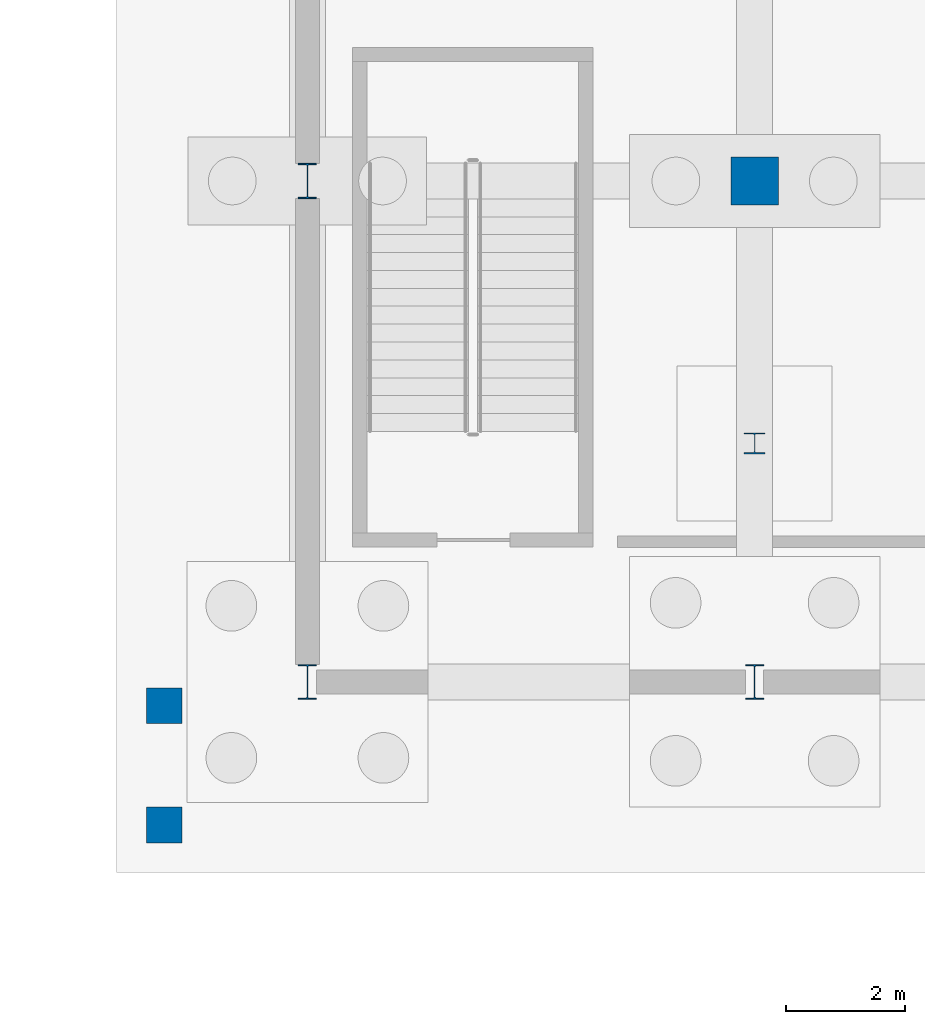
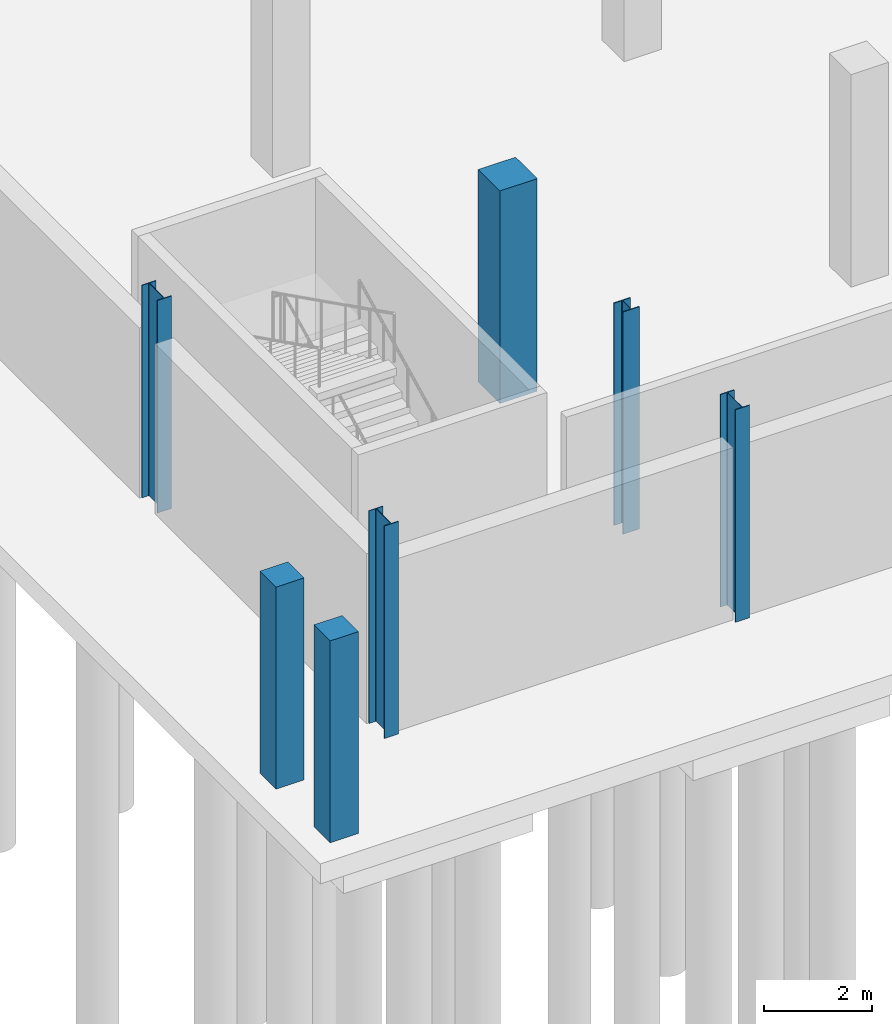
# One storey, part 22 of 44: 7 columns.
"""IFC4 building model written with IfcOpenShell, lengths in metres."""

import ifcopenshell
import ifcopenshell.guid

model = None  # the IFC model being written
_history = None  # IfcOwnerHistory: only IFC2X3 demands one
_inside = {}  # id of a spatial element -> (the spatial element, [elements in it])
_under = {}  # id of a project, library or spatial element -> (it, [spatial elements below it])
_declared = {}  # id of a project -> (the project, [libraries it declares])
_typed = {}  # id of a type object -> (the type object, [elements of that type])
_made_of = {}  # id of a material, layer set ... -> (it, [elements and type objects made of it])


def new_model(schema):
    """Start an empty IFC model of exactly this schema.

    Asked for "IFC4X3", IfcOpenShell would pick the latest addendum, in which some entities
    have other attributes; the version numbers below select the first issue.
    IFC2X3 requires an IfcOwnerHistory on every rooted entity: one is made here for all.
    """
    global model, _history
    if schema == "IFC4X3":
        model = ifcopenshell.file(schema_version=(4, 3, 0, 0))
    else:
        model = ifcopenshell.file(schema=schema)
    _inside.clear()
    _under.clear()
    _declared.clear()
    _typed.clear()
    _made_of.clear()
    _history = None
    if model.schema == "IFC2X3":
        org = make("IfcOrganization", Name="unknown")
        user = make(
            "IfcPersonAndOrganization",
            ThePerson=make("IfcPerson", FamilyName="unknown"),
            TheOrganization=org,
        )
        app = make(
            "IfcApplication",
            ApplicationDeveloper=org,
            Version="unknown",
            ApplicationFullName="unknown",
            ApplicationIdentifier="unknown",
        )
        _history = make(
            "IfcOwnerHistory",
            OwningUser=user,
            OwningApplication=app,
            ChangeAction="ADDED",
            CreationDate=0,
        )
    return model


def make(cls, **values):
    """One entity of the class cls with the attributes given. An attribute that is None is left unset."""
    return model.create_entity(
        cls, **{name: value for name, value in values.items() if value is not None}
    )


def rooted(cls, **values):
    """An entity with a GlobalId (a new one), such as an element, a storey or a relation."""
    return make(cls, GlobalId=ifcopenshell.guid.new(), OwnerHistory=_history, **values)


def si_unit(unit_type, name, prefix=None):
    """IfcSIUnit, for example si_unit("LENGTHUNIT", "METRE", prefix="MILLI")."""
    return make("IfcSIUnit", UnitType=unit_type, Prefix=prefix, Name=name)


def assignment(units):
    """IfcUnitAssignment: the units of a project."""
    return None if units is None else make("IfcUnitAssignment", Units=units)


def point(xyz):
    """IfcCartesianPoint."""
    return None if xyz is None else make("IfcCartesianPoint", Coordinates=xyz)


def direction(xyz):
    """IfcDirection."""
    return None if xyz is None else make("IfcDirection", DirectionRatios=xyz)


def frame(location, z_axis=None, x_axis=None):
    """IfcAxis2Placement3D, a coordinate frame: its origin and axes. An axis left out is left unset."""
    return make(
        "IfcAxis2Placement3D",
        Location=point(location),
        Axis=direction(z_axis),
        RefDirection=direction(x_axis),
    )


def frame_2d(location, x_axis=None):
    """IfcAxis2Placement2D, a coordinate frame in the plane: its origin and x axis."""
    return make(
        "IfcAxis2Placement2D", Location=point(location), RefDirection=direction(x_axis)
    )


def origin():
    """The frame at (0, 0, 0) with its axes left unset."""
    return frame((0.0, 0.0, 0.0))


def origin_2d():
    """The frame at (0, 0) in the plane with its x axis left unset."""
    return frame_2d((0.0, 0.0))


def place(relative_to, where):
    """IfcLocalPlacement: puts the frame where relative to a parent placement (None: the world)."""
    return make(
        "IfcLocalPlacement", PlacementRelTo=relative_to, RelativePlacement=where
    )


def context(
    kind, dimensions, precision=None, world=None, true_north=None, identifier=None
):
    """IfcGeometricRepresentationContext, for example the 3D "Model" context."""
    return make(
        "IfcGeometricRepresentationContext",
        ContextIdentifier=identifier,
        ContextType=kind,
        CoordinateSpaceDimension=dimensions,
        Precision=precision,
        WorldCoordinateSystem=world,
        TrueNorth=true_north,
    )


def subcontext(parent, identifier, kind, view, scale=None):
    """IfcGeometricRepresentationSubContext, for example "Body" below "Model"."""
    return make(
        "IfcGeometricRepresentationSubContext",
        ContextIdentifier=identifier,
        ContextType=kind,
        ParentContext=parent,
        TargetScale=scale,
        TargetView=view,
    )


def project(units=None, contexts=None):
    """IfcProject with its units and contexts."""
    return rooted(
        "IfcProject",
        Name="project",
        RepresentationContexts=contexts,
        UnitsInContext=assignment(units),
    )


def spatial(cls, under=None, at=None, **own):
    """A site, building, storey or space (cls), placed at a placement, below another one or the project."""
    s = rooted(cls, ObjectPlacement=at, **own)
    if under is not None:
        _under.setdefault(under.id(), (under, []))[1].append(s)
    return s


def profile(cls, at=None, kind="AREA", **sizes):
    """A parametric profile (cls). Its sizes go by their IFC names, for example OverallWidth=200.0."""
    return make(cls, ProfileType=kind, Position=at, **sizes)


def rectangle(**sizes):
    """IfcRectangleProfileDef."""
    return profile("IfcRectangleProfileDef", **sizes)


def i_section(**sizes):
    """IfcIShapeProfileDef."""
    return profile("IfcIShapeProfileDef", **sizes)


def extrude(swept, where, along, depth):
    """IfcExtrudedAreaSolid: the profile swept, set in the frame where, extruded along a direction by depth."""
    return make(
        "IfcExtrudedAreaSolid",
        SweptArea=swept,
        Position=where,
        ExtrudedDirection=direction(along),
        Depth=depth,
    )


def shape(context_of_items, identifier, shape_type, items):
    """IfcShapeRepresentation: the items that make up one representation, for example the "Body"."""
    return make(
        "IfcShapeRepresentation",
        ContextOfItems=context_of_items,
        RepresentationIdentifier=identifier,
        RepresentationType=shape_type,
        Items=items,
    )


def material(Name=None, Category=None):
    """IfcMaterial."""
    return make("IfcMaterial", Name=Name, Category=Category)


def material_profile(
    of_material, cross_section, Name=None, Category=None, Priority=None
):
    """IfcMaterialProfile: a cross section and its material."""
    return make(
        "IfcMaterialProfile",
        Name=Name,
        Material=of_material,
        Profile=cross_section,
        Priority=Priority,
        Category=Category,
    )


def profile_set(profiles, Name=None, composite=None):
    """IfcMaterialProfileSet."""
    return make(
        "IfcMaterialProfileSet",
        Name=Name,
        MaterialProfiles=profiles,
        CompositeProfile=composite,
    )


def made_of(thing, what):
    """Note that an element or type object is made of a material, layer set ...; save() writes the relation."""
    if what is not None:
        _made_of.setdefault(what.id(), (what, []))[1].append(thing)
    return thing


def type_object(cls, material=None, **own):
    """A type object (cls), such as IfcWallType, which elements share."""
    return made_of(rooted(cls, **own), material)


def element(
    cls,
    number,
    at=None,
    inside=None,
    cuts=None,
    type_object=None,
    material=None,
    context=None,
    identifier="Body",
    shape_type=None,
    held_by="IfcProductDefinitionShape",
    body=None,
    shapes=None,
    **own,
):
    """One element of the class cls, such as IfcWall. Its Tag is "e" and its number.

    at: its placement. inside: the storey or other place that contains it. cuts: it is an
    opening in that element (IfcRelVoidsElement). A single representation is given by context,
    identifier, shape_type and body (its items); several are given by shapes. held_by: the class
    of the entity that holds the representations. save() writes the other relations.
    """
    e = rooted(cls, Tag="e%d" % number, ObjectPlacement=at, **own)
    if body is not None:
        shapes = [shape(context, identifier, shape_type, body)]
    if shapes is not None:
        e.Representation = make(held_by, Representations=shapes)
    if inside is not None:
        _inside.setdefault(inside.id(), (inside, []))[1].append(e)
    if cuts is not None:
        rooted(
            "IfcRelVoidsElement", RelatingBuildingElement=cuts, RelatedOpeningElement=e
        )
    if type_object is not None:
        _typed.setdefault(type_object.id(), (type_object, []))[1].append(e)
    return made_of(e, material)


def aggregate(whole, parts):
    """IfcRelAggregates: a whole, such as a stair, and the parts it consists of."""
    return rooted("IfcRelAggregates", RelatingObject=whole, RelatedObjects=parts)


def save(model, path):
    """Write the relations noted so far, then the file.

    IfcRelAggregates (storeys below a building ...), IfcRelContainedInSpatialStructure (elements
    in a storey), IfcRelDefinesByType, IfcRelAssociatesMaterial and IfcRelDeclares: one each for
    every whole, place, type object, material and project.
    """
    for whole, parts in _under.values():
        aggregate(whole, parts)
    for where, things in _inside.values():
        rooted(
            "IfcRelContainedInSpatialStructure",
            RelatedElements=things,
            RelatingStructure=where,
        )
    for kind, things in _typed.values():
        rooted("IfcRelDefinesByType", RelatedObjects=things, RelatingType=kind)
    for what, things in _made_of.values():
        rooted("IfcRelAssociatesMaterial", RelatedObjects=things, RelatingMaterial=what)
    for by, libraries in _declared.values():
        rooted("IfcRelDeclares", RelatingContext=by, RelatedDefinitions=libraries)
    model.write(path)


model = new_model("IFC4")

# Units and contexts
model_context = context("Model", 3, precision=1e-05, world=origin(), true_north=direction((0.0, 1.0)))
body_context = subcontext(model_context, "Body", "Model", "MODEL_VIEW")
ifc_project = project(units=[si_unit("LENGTHUNIT", "METRE"), si_unit("AREAUNIT", "SQUARE_METRE"), si_unit("VOLUMEUNIT", "CUBIC_METRE"), si_unit("PLANEANGLEUNIT", "RADIAN"), si_unit("MASSUNIT", "GRAM", prefix="KILO")], contexts=[model_context])

# Site, building, storey
site_placement = place(None, origin())
site = spatial("IfcSite", under=ifc_project, at=site_placement, CompositionType="ELEMENT")
building_placement = place(site_placement, origin())
building = spatial("IfcBuilding", under=site, at=building_placement, Name="Yukiwa Park Conservatory and Herbarium", CompositionType="ELEMENT")
storey_placement = place(building_placement, frame((0.0, 0.0, -4.800048828125)))
storey = spatial("IfcBuildingStorey", under=building, at=storey_placement, Name="B1", CompositionType="ELEMENT", Elevation=-4.800048828125)

# Columns
ifc_material_1 = material(Name="Steel Q355D", Category="steel")
ifc_material_profile_1 = material_profile(ifc_material_1, i_section(OverallWidth=0.300048828125, OverallDepth=0.58203125, WebThickness=0.011962890625, FlangeThickness=0.01708984375, FilletRadius=0.02392578125, at=origin_2d()), Name="HM 582x300x12x17")
ifc_profile_set_1 = profile_set([ifc_material_profile_1], Name="Steel Q355D")
column_type_1 = type_object("IfcColumnType", Name="COL-AU-HM582", PredefinedType="COLUMN", material=ifc_profile_set_1)
for number, where, z_axis, x_axis, name in (
    (1, (15.0, 78.0, 0.0), (0.0, 0.0, 1.0), (1.0, 0.0, 0.0), "B1 column V4-X150-Y780"),
    (2, (22.5, 78.0, 0.0), (0.0, 0.0, 1.0), (1.0, 0.0, 0.0), "B1 column V4-X225-Y780"),
):
    element("IfcColumn", number, at=place(storey_placement, frame(where, z_axis=z_axis, x_axis=x_axis)), inside=storey, type_object=column_type_1, Name=name, PredefinedType="COLUMN", context=body_context, shape_type="SweptSolid", body=[
        extrude(i_section(OverallWidth=0.300048828125, OverallDepth=0.58203125, WebThickness=0.011962890625, FlangeThickness=0.01708984375, FilletRadius=0.02392578125, at=origin_2d()), origin(), (0.0, 0.0, 1.0), 4.800048828125),
    ])
ifc_material_2 = material(Name="Steel Q355D", Category="steel")
ifc_material_profile_2 = material_profile(ifc_material_2, i_section(OverallWidth=0.300048828125, OverallDepth=0.587890625, WebThickness=0.011962890625, FlangeThickness=0.02001953125, FilletRadius=0.02392578125, at=origin_2d()), Name="HM 588x300x12x20")
ifc_profile_set_2 = profile_set([ifc_material_profile_2], Name="Steel Q355D")
column_type_2 = type_object("IfcColumnType", Name="COL-AU-HM588", PredefinedType="COLUMN", material=ifc_profile_set_2)
column_1_placement = place(storey_placement, frame((15.0, 86.39990234375, 0.0), z_axis=(0.0, 0.0, 1.0), x_axis=(1.0, 0.0, 0.0)))
element("IfcColumn", 3, at=column_1_placement, inside=storey, type_object=column_type_2, Name="B1 column V4-X150-Y864", PredefinedType="COLUMN", context=body_context, shape_type="SweptSolid", body=[
    extrude(i_section(OverallWidth=0.300048828125, OverallDepth=0.587890625, WebThickness=0.011962890625, FlangeThickness=0.02001953125, FilletRadius=0.02392578125, at=origin_2d()), origin(), (0.0, 0.0, 1.0), 4.800048828125),
])
ifc_material_3 = material(Name="Concrete C40", Category="concrete")
ifc_material_profile_3 = material_profile(ifc_material_3, rectangle(XDim=0.60009765625, YDim=0.60009765625, at=origin_2d()), Name="RC 600x600")
ifc_profile_set_3 = profile_set([ifc_material_profile_3], Name="Concrete C40")
column_type_3 = type_object("IfcColumnType", Name="COL-B1-RC600", PredefinedType="COLUMN", material=ifc_profile_set_3)
for number, where, z_axis, x_axis, name in (
    (4, (12.60009765625, 75.60009765625, 0.0), (0.0, 0.0, 1.0), (1.0, 0.0, 0.0), "Exterior frost apron pier 25"),
    (5, (12.60009765625, 77.60009765625, 0.0), (0.0, 0.0, 1.0), (1.0, 0.0, 0.0), "Exterior frost apron pier 28"),
):
    element("IfcColumn", number, at=place(storey_placement, frame(where, z_axis=z_axis, x_axis=x_axis)), inside=storey, type_object=column_type_3, Name=name, PredefinedType="COLUMN", context=body_context, shape_type="SweptSolid", body=[
        extrude(rectangle(XDim=0.60009765625, YDim=0.60009765625, at=origin_2d()), origin(), (0.0, 0.0, 1.0), 4.56005859375),
    ])
ifc_material_4 = material(Name="Concrete C50", Category="concrete")
ifc_material_profile_4 = material_profile(ifc_material_4, rectangle(XDim=0.800048828125, YDim=0.800048828125, at=origin_2d()), Name="RC 800x800")
ifc_profile_set_4 = profile_set([ifc_material_profile_4], Name="Concrete C50")
column_type_4 = type_object("IfcColumnType", Name="COL-B1-RC800", PredefinedType="COLUMN", material=ifc_profile_set_4)
column_2_placement = place(storey_placement, frame((22.5, 86.39990234375, 0.0), z_axis=(0.0, 0.0, 1.0), x_axis=(1.0, 0.0, 0.0)))
element("IfcColumn", 6, at=column_2_placement, inside=storey, type_object=column_type_4, Name="B1 column V4B-X225-Y864", PredefinedType="COLUMN", context=body_context, shape_type="SweptSolid", body=[
    extrude(rectangle(XDim=0.800048828125, YDim=0.800048828125, at=origin_2d()), origin(), (0.0, 0.0, 1.0), 4.800048828125),
])
ifc_material_5 = material(Name="Steel Q355D", Category="steel")
ifc_material_profile_5 = material_profile(ifc_material_5, i_section(OverallWidth=0.35009765625, OverallDepth=0.35009765625, WebThickness=0.011962890625, FlangeThickness=0.01904296875, FilletRadius=0.02001953125, at=origin_2d()), Name="HW 350x350x12x19")
ifc_profile_set_5 = profile_set([ifc_material_profile_5], Name="Steel Q355D")
column_type_5 = type_object("IfcColumnType", Name="COL-TW-HW350", PredefinedType="COLUMN", material=ifc_profile_set_5)
column_3_placement = place(storey_placement, frame((22.5, 82.0, -0.5), z_axis=(0.0, 0.0, 1.0), x_axis=(1.0, 0.0, 0.0)))
element("IfcColumn", 7, at=column_3_placement, inside=storey, type_object=column_type_5, Name="Basement auditorium gallery support column 1", PredefinedType="COLUMN", context=body_context, shape_type="SweptSolid", body=[
    extrude(i_section(OverallWidth=0.35009765625, OverallDepth=0.35009765625, WebThickness=0.011962890625, FlangeThickness=0.01904296875, FilletRadius=0.02001953125, at=origin_2d()), origin(), (0.0, 0.0, 1.0), 5.02001953125),
])

save(model, "model.ifc")
